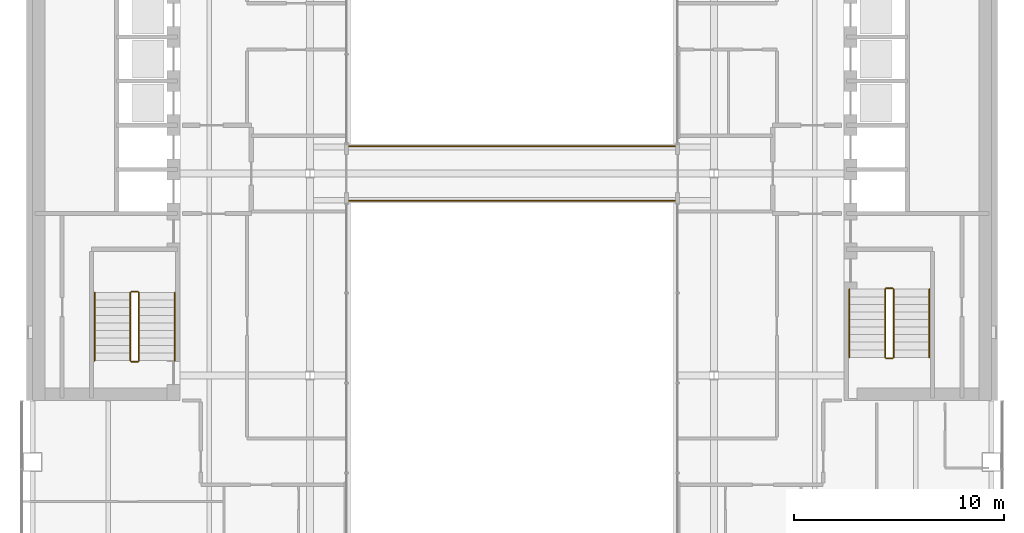
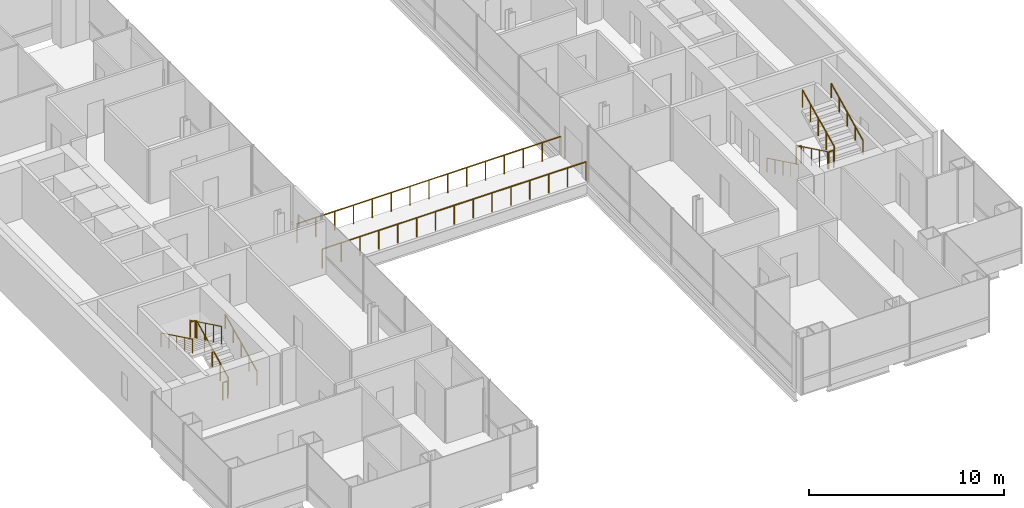
# One storey, part 15 of 16: 14 railings.
"""IFC4 building model written with IfcOpenShell, lengths in metres."""

from ifc_helpers import new_model, si_unit, direction, frame, origin, origin_2d, place, context, subcontext, project, spatial, circle, extrude, material, type_object, element, save


model = new_model("IFC4")

# Units and contexts
model_context = context("Model", 3, precision=1e-05, world=origin(), true_north=direction((0.0, 1.0)))
body_context = subcontext(model_context, "Body", "Model", "MODEL_VIEW")
ifc_project = project(units=[si_unit("LENGTHUNIT", "METRE"), si_unit("AREAUNIT", "SQUARE_METRE"), si_unit("VOLUMEUNIT", "CUBIC_METRE"), si_unit("PLANEANGLEUNIT", "RADIAN"), si_unit("MASSUNIT", "GRAM", prefix="KILO")], contexts=[model_context])

# Site, building, storey
site_placement = place(None, origin())
site = spatial("IfcSite", under=ifc_project, at=site_placement, CompositionType="ELEMENT")
building_placement = place(site_placement, origin())
building = spatial("IfcBuilding", under=site, at=building_placement, Name="Cobrizo Arcos Hotel Tower", CompositionType="ELEMENT")
storey_placement = place(building_placement, frame((0.0, 0.0, 120.5)))
storey = spatial("IfcBuildingStorey", under=building, at=storey_placement, Name="L30", CompositionType="ELEMENT", Elevation=120.5)

# Railings
ifc_material = material(Name="Stainless steel railing", Category="steel")
railing_type_1 = type_object("IfcRailingType", Name="Sky bridge guard 1200", PredefinedType="GUARDRAIL", material=ifc_material)
railing_1_placement = place(storey_placement, frame((-7.800048828125, 1.300048828125, 0.0)))
element("IfcRailing", 1, at=railing_1_placement, inside=storey, type_object=railing_type_1, Name="Sky bridge north guard", PredefinedType="GUARDRAIL", context=body_context, shape_type="SweptSolid", body=[
    extrude(circle(Radius=0.02392578125, at=origin_2d()), frame((0.0, 0.0, 1.17578125), z_axis=(1.0, 0.0, 0.0), x_axis=(0.0, 1.0, 0.0)), (0.0, 0.0, 1.0), 15.60009765625),
    extrude(circle(Radius=0.02099609375, at=origin_2d()), origin(), (0.0, 0.0, 1.0), 1.15185546875),
    extrude(circle(Radius=0.02099609375, at=origin_2d()), frame((1.1142578125, 0.0, 0.0)), (0.0, 0.0, 1.0), 1.15185546875),
    extrude(circle(Radius=0.02099609375, at=origin_2d()), frame((2.228515625, 0.0, 0.0)), (0.0, 0.0, 1.0), 1.15185546875),
    extrude(circle(Radius=0.02099609375, at=origin_2d()), frame((3.3427734375, 0.0, 0.0)), (0.0, 0.0, 1.0), 1.15185546875),
    extrude(circle(Radius=0.02099609375, at=origin_2d()), frame((4.457275390625, 0.0, 0.0)), (0.0, 0.0, 1.0), 1.15185546875),
    extrude(circle(Radius=0.02099609375, at=origin_2d()), frame((5.571533203125, 0.0, 0.0)), (0.0, 0.0, 1.0), 1.15185546875),
    extrude(circle(Radius=0.02099609375, at=origin_2d()), frame((6.685791015625, 0.0, 0.0)), (0.0, 0.0, 1.0), 1.15185546875),
    extrude(circle(Radius=0.02099609375, at=origin_2d()), frame((7.800048828125, 0.0, 0.0)), (0.0, 0.0, 1.0), 1.15185546875),
    extrude(circle(Radius=0.02099609375, at=origin_2d()), frame((8.914306640625, 0.0, 0.0)), (0.0, 0.0, 1.0), 1.15185546875),
    extrude(circle(Radius=0.02099609375, at=origin_2d()), frame((10.028564453125, 0.0, 0.0)), (0.0, 0.0, 1.0), 1.15185546875),
    extrude(circle(Radius=0.02099609375, at=origin_2d()), frame((11.142822265625, 0.0, 0.0)), (0.0, 0.0, 1.0), 1.15185546875),
    extrude(circle(Radius=0.02099609375, at=origin_2d()), frame((12.25732421875, 0.0, 0.0)), (0.0, 0.0, 1.0), 1.15185546875),
    extrude(circle(Radius=0.02099609375, at=origin_2d()), frame((13.37158203125, 0.0, 0.0)), (0.0, 0.0, 1.0), 1.15185546875),
    extrude(circle(Radius=0.02099609375, at=origin_2d()), frame((14.48583984375, 0.0, 0.0)), (0.0, 0.0, 1.0), 1.15185546875),
    extrude(circle(Radius=0.02099609375, at=origin_2d()), frame((15.60009765625, 0.0, 0.0)), (0.0, 0.0, 1.0), 1.15185546875),
])
railing_2_placement = place(storey_placement, frame((-7.800048828125, -1.300048828125, 0.0)))
element("IfcRailing", 2, at=railing_2_placement, inside=storey, type_object=railing_type_1, Name="Sky bridge south guard", PredefinedType="GUARDRAIL", context=body_context, shape_type="SweptSolid", body=[
    extrude(circle(Radius=0.02392578125, at=origin_2d()), frame((0.0, 0.0, 1.17578125), z_axis=(1.0, 0.0, 0.0), x_axis=(0.0, 1.0, 0.0)), (0.0, 0.0, 1.0), 15.60009765625),
    extrude(circle(Radius=0.02099609375, at=origin_2d()), origin(), (0.0, 0.0, 1.0), 1.15185546875),
    extrude(circle(Radius=0.02099609375, at=origin_2d()), frame((1.1142578125, 0.0, 0.0)), (0.0, 0.0, 1.0), 1.15185546875),
    extrude(circle(Radius=0.02099609375, at=origin_2d()), frame((2.228515625, 0.0, 0.0)), (0.0, 0.0, 1.0), 1.15185546875),
    extrude(circle(Radius=0.02099609375, at=origin_2d()), frame((3.3427734375, 0.0, 0.0)), (0.0, 0.0, 1.0), 1.15185546875),
    extrude(circle(Radius=0.02099609375, at=origin_2d()), frame((4.457275390625, 0.0, 0.0)), (0.0, 0.0, 1.0), 1.15185546875),
    extrude(circle(Radius=0.02099609375, at=origin_2d()), frame((5.571533203125, 0.0, 0.0)), (0.0, 0.0, 1.0), 1.15185546875),
    extrude(circle(Radius=0.02099609375, at=origin_2d()), frame((6.685791015625, 0.0, 0.0)), (0.0, 0.0, 1.0), 1.15185546875),
    extrude(circle(Radius=0.02099609375, at=origin_2d()), frame((7.800048828125, 0.0, 0.0)), (0.0, 0.0, 1.0), 1.15185546875),
    extrude(circle(Radius=0.02099609375, at=origin_2d()), frame((8.914306640625, 0.0, 0.0)), (0.0, 0.0, 1.0), 1.15185546875),
    extrude(circle(Radius=0.02099609375, at=origin_2d()), frame((10.028564453125, 0.0, 0.0)), (0.0, 0.0, 1.0), 1.15185546875),
    extrude(circle(Radius=0.02099609375, at=origin_2d()), frame((11.142822265625, 0.0, 0.0)), (0.0, 0.0, 1.0), 1.15185546875),
    extrude(circle(Radius=0.02099609375, at=origin_2d()), frame((12.25732421875, 0.0, 0.0)), (0.0, 0.0, 1.0), 1.15185546875),
    extrude(circle(Radius=0.02099609375, at=origin_2d()), frame((13.37158203125, 0.0, 0.0)), (0.0, 0.0, 1.0), 1.15185546875),
    extrude(circle(Radius=0.02099609375, at=origin_2d()), frame((14.48583984375, 0.0, 0.0)), (0.0, 0.0, 1.0), 1.15185546875),
    extrude(circle(Radius=0.02099609375, at=origin_2d()), frame((15.60009765625, 0.0, 0.0)), (0.0, 0.0, 1.0), 1.15185546875),
])
railing_type_2 = type_object("IfcRailingType", Name="Stair guard 1100", PredefinedType="GUARDRAIL", material=ifc_material)
railing_3_placement = place(storey_placement, frame((-17.75, -8.89990234375, 0.175048828125)))
element("IfcRailing", 3, at=railing_3_placement, inside=storey, type_object=railing_type_2, Name="L30 ST-W stair guard 1", PredefinedType="GUARDRAIL", context=body_context, shape_type="SweptSolid", body=[
    extrude(circle(Radius=0.02392578125, at=origin_2d()), frame((0.0, 0.0, 1.076171875), z_axis=(0.0, 0.899372665325, 0.437182809435), x_axis=(-1.0, 0.0, 0.0)), (0.0, 0.0, 1.0), 3.6025390625),
    extrude(circle(Radius=0.02099609375, at=origin_2d()), origin(), (0.0, 0.0, 1.0), 1.052001953125),
    extrude(circle(Radius=0.02099609375, at=origin_2d()), frame((0.0, 0.81005859375, 0.393798828125)), (0.0, 0.0, 1.0), 1.052001953125),
    extrude(circle(Radius=0.02099609375, at=origin_2d()), frame((0.0, 1.6201171875, 0.78759765625)), (0.0, 0.0, 1.0), 1.052001953125),
    extrude(circle(Radius=0.02099609375, at=origin_2d()), frame((0.0, 2.429931640625, 1.18115234375)), (0.0, 0.0, 1.0), 1.052001953125),
    extrude(circle(Radius=0.02099609375, at=origin_2d()), frame((0.0, 3.239990234375, 1.574951171875)), (0.0, 0.0, 1.0), 1.052001953125),
])
railing_4_placement = place(storey_placement, frame((-17.800048828125, -5.610107421875, 1.75)))
element("IfcRailing", 4, at=railing_4_placement, inside=storey, type_object=railing_type_2, Name="L30 ST-W stair guard 2", PredefinedType="GUARDRAIL", context=body_context, shape_type="SweptSolid", body=[
    extrude(circle(Radius=0.02392578125, at=origin_2d()), frame((0.0, 0.0, 1.076171875), z_axis=(-1.0, 0.0, 0.0), x_axis=(0.0, -1.0, 0.0)), (0.0, 0.0, 1.0), 0.300048828125),
    extrude(circle(Radius=0.02099609375, at=origin_2d()), origin(), (0.0, 0.0, 1.0), 1.052001953125),
    extrude(circle(Radius=0.02099609375, at=origin_2d()), frame((-0.300048828125, 0.0, 0.0)), (0.0, 0.0, 1.0), 1.052001953125),
])
railing_5_placement = place(storey_placement, frame((-18.14990234375, -5.659912109375, 1.925048828125)))
element("IfcRailing", 5, at=railing_5_placement, inside=storey, type_object=railing_type_2, Name="L30 ST-W stair guard 3", PredefinedType="GUARDRAIL", context=body_context, shape_type="SweptSolid", body=[
    extrude(circle(Radius=0.02392578125, at=origin_2d()), frame((0.0, 0.0, 1.076171875), z_axis=(0.0, -0.899372665325, 0.437182809435), x_axis=(1.0, 0.0, 0.0)), (0.0, 0.0, 1.0), 3.6025390625),
    extrude(circle(Radius=0.02099609375, at=origin_2d()), origin(), (0.0, 0.0, 1.0), 1.052001953125),
    extrude(circle(Radius=0.02099609375, at=origin_2d()), frame((0.0, -0.81005859375, 0.393798828125)), (0.0, 0.0, 1.0), 1.052001953125),
    extrude(circle(Radius=0.02099609375, at=origin_2d()), frame((0.0, -1.6201171875, 0.78759765625)), (0.0, 0.0, 1.0), 1.052001953125),
    extrude(circle(Radius=0.02099609375, at=origin_2d()), frame((0.0, -2.429931640625, 1.18115234375)), (0.0, 0.0, 1.0), 1.052001953125),
    extrude(circle(Radius=0.02099609375, at=origin_2d()), frame((0.0, -3.239990234375, 1.574951171875)), (0.0, 0.0, 1.0), 1.052001953125),
])
railing_6_placement = place(storey_placement, frame((-17.800048828125, -8.949951171875, 0.0)))
element("IfcRailing", 6, at=railing_6_placement, inside=storey, type_object=railing_type_2, Name="L30 ST-W stair guard 4", PredefinedType="GUARDRAIL", context=body_context, shape_type="SweptSolid", body=[
    extrude(circle(Radius=0.02392578125, at=origin_2d()), frame((0.0, 0.0, 1.076171875), z_axis=(-1.0, 0.0, 0.0), x_axis=(0.0, -1.0, 0.0)), (0.0, 0.0, 1.0), 0.300048828125),
    extrude(circle(Radius=0.02099609375, at=origin_2d()), origin(), (0.0, 0.0, 1.0), 1.052001953125),
    extrude(circle(Radius=0.02099609375, at=origin_2d()), frame((-0.300048828125, 0.0, 0.0)), (0.0, 0.0, 1.0), 1.052001953125),
])
railing_7_placement = place(storey_placement, frame((17.75, -5.5, 0.175048828125)))
element("IfcRailing", 7, at=railing_7_placement, inside=storey, type_object=railing_type_2, Name="L30 ST-E stair guard 1", PredefinedType="GUARDRAIL", context=body_context, shape_type="SweptSolid", body=[
    extrude(circle(Radius=0.02392578125, at=origin_2d()), frame((0.0, 0.0, 1.076171875), z_axis=(0.0, -0.899372665325, 0.437182809435), x_axis=(1.0, 0.0, 0.0)), (0.0, 0.0, 1.0), 3.6025390625),
    extrude(circle(Radius=0.02099609375, at=origin_2d()), origin(), (0.0, 0.0, 1.0), 1.052001953125),
    extrude(circle(Radius=0.02099609375, at=origin_2d()), frame((0.0, -0.81005859375, 0.393798828125)), (0.0, 0.0, 1.0), 1.052001953125),
    extrude(circle(Radius=0.02099609375, at=origin_2d()), frame((0.0, -1.6201171875, 0.78759765625)), (0.0, 0.0, 1.0), 1.052001953125),
    extrude(circle(Radius=0.02099609375, at=origin_2d()), frame((0.0, -2.429931640625, 1.18115234375)), (0.0, 0.0, 1.0), 1.052001953125),
    extrude(circle(Radius=0.02099609375, at=origin_2d()), frame((0.0, -3.239990234375, 1.574951171875)), (0.0, 0.0, 1.0), 1.052001953125),
])
railing_8_placement = place(storey_placement, frame((17.800048828125, -8.7900390625, 1.75)))
element("IfcRailing", 8, at=railing_8_placement, inside=storey, type_object=railing_type_2, Name="L30 ST-E stair guard 2", PredefinedType="GUARDRAIL", context=body_context, shape_type="SweptSolid", body=[
    extrude(circle(Radius=0.02392578125, at=origin_2d()), frame((0.0, 0.0, 1.076171875), z_axis=(1.0, 0.0, 0.0), x_axis=(0.0, 1.0, 0.0)), (0.0, 0.0, 1.0), 0.300048828125),
    extrude(circle(Radius=0.02099609375, at=origin_2d()), origin(), (0.0, 0.0, 1.0), 1.052001953125),
    extrude(circle(Radius=0.02099609375, at=origin_2d()), frame((0.300048828125, 0.0, 0.0)), (0.0, 0.0, 1.0), 1.052001953125),
])
railing_9_placement = place(storey_placement, frame((18.14990234375, -8.739990234375, 1.925048828125)))
element("IfcRailing", 9, at=railing_9_placement, inside=storey, type_object=railing_type_2, Name="L30 ST-E stair guard 3", PredefinedType="GUARDRAIL", context=body_context, shape_type="SweptSolid", body=[
    extrude(circle(Radius=0.02392578125, at=origin_2d()), frame((0.0, 0.0, 1.076171875), z_axis=(0.0, 0.899372665325, 0.437182809435), x_axis=(-1.0, 0.0, 0.0)), (0.0, 0.0, 1.0), 3.6025390625),
    extrude(circle(Radius=0.02099609375, at=origin_2d()), origin(), (0.0, 0.0, 1.0), 1.052001953125),
    extrude(circle(Radius=0.02099609375, at=origin_2d()), frame((0.0, 0.81005859375, 0.393798828125)), (0.0, 0.0, 1.0), 1.052001953125),
    extrude(circle(Radius=0.02099609375, at=origin_2d()), frame((0.0, 1.6201171875, 0.78759765625)), (0.0, 0.0, 1.0), 1.052001953125),
    extrude(circle(Radius=0.02099609375, at=origin_2d()), frame((0.0, 2.429931640625, 1.18115234375)), (0.0, 0.0, 1.0), 1.052001953125),
    extrude(circle(Radius=0.02099609375, at=origin_2d()), frame((0.0, 3.239990234375, 1.574951171875)), (0.0, 0.0, 1.0), 1.052001953125),
])
railing_10_placement = place(storey_placement, frame((17.800048828125, -5.449951171875, 0.0)))
element("IfcRailing", 10, at=railing_10_placement, inside=storey, type_object=railing_type_2, Name="L30 ST-E stair guard 4", PredefinedType="GUARDRAIL", context=body_context, shape_type="SweptSolid", body=[
    extrude(circle(Radius=0.02392578125, at=origin_2d()), frame((0.0, 0.0, 1.076171875), z_axis=(1.0, 0.0, 0.0), x_axis=(0.0, 1.0, 0.0)), (0.0, 0.0, 1.0), 0.300048828125),
    extrude(circle(Radius=0.02099609375, at=origin_2d()), origin(), (0.0, 0.0, 1.0), 1.052001953125),
    extrude(circle(Radius=0.02099609375, at=origin_2d()), frame((0.300048828125, 0.0, 0.0)), (0.0, 0.0, 1.0), 1.052001953125),
])
railing_type_3 = type_object("IfcRailingType", Name="Stair handrail", PredefinedType="HANDRAIL", material=ifc_material)
railing_11_placement = place(storey_placement, frame((-16.050048828125, -8.89990234375, 0.175048828125)))
element("IfcRailing", 11, at=railing_11_placement, inside=storey, type_object=railing_type_3, Name="L30 ST-W stair handrail 1", PredefinedType="HANDRAIL", context=body_context, shape_type="SweptSolid", body=[
    extrude(circle(Radius=0.02392578125, at=origin_2d()), frame((0.0, 0.0, 0.8759765625), z_axis=(0.0, 0.899372665325, 0.437182809435), x_axis=(-1.0, 0.0, 0.0)), (0.0, 0.0, 1.0), 3.6025390625),
    extrude(circle(Radius=0.02099609375, at=origin_2d()), origin(), (0.0, 0.0, 1.0), 0.851806640625),
    extrude(circle(Radius=0.02099609375, at=origin_2d()), frame((0.0, 0.81005859375, 0.393798828125)), (0.0, 0.0, 1.0), 0.851806640625),
    extrude(circle(Radius=0.02099609375, at=origin_2d()), frame((0.0, 1.6201171875, 0.78759765625)), (0.0, 0.0, 1.0), 0.851806640625),
    extrude(circle(Radius=0.02099609375, at=origin_2d()), frame((0.0, 2.429931640625, 1.18115234375)), (0.0, 0.0, 1.0), 0.851806640625),
    extrude(circle(Radius=0.02099609375, at=origin_2d()), frame((0.0, 3.239990234375, 1.574951171875)), (0.0, 0.0, 1.0), 0.851806640625),
])
for number, where, name in (
    (12, (-19.85009765625, -5.659912109375, 1.925048828125), "L30 ST-W stair handrail 2"),
    (13, (16.050048828125, -5.5, 0.175048828125), "L30 ST-E stair handrail 1"),
):
    element("IfcRailing", number, at=place(storey_placement, frame(where)), inside=storey, type_object=railing_type_3, Name=name, PredefinedType="HANDRAIL", context=body_context, shape_type="SweptSolid", body=[
        extrude(circle(Radius=0.02392578125, at=origin_2d()), frame((0.0, 0.0, 0.8759765625), z_axis=(0.0, -0.899372665325, 0.437182809435), x_axis=(1.0, 0.0, 0.0)), (0.0, 0.0, 1.0), 3.6025390625),
        extrude(circle(Radius=0.02099609375, at=origin_2d()), origin(), (0.0, 0.0, 1.0), 0.851806640625),
        extrude(circle(Radius=0.02099609375, at=origin_2d()), frame((0.0, -0.81005859375, 0.393798828125)), (0.0, 0.0, 1.0), 0.851806640625),
        extrude(circle(Radius=0.02099609375, at=origin_2d()), frame((0.0, -1.6201171875, 0.78759765625)), (0.0, 0.0, 1.0), 0.851806640625),
        extrude(circle(Radius=0.02099609375, at=origin_2d()), frame((0.0, -2.429931640625, 1.18115234375)), (0.0, 0.0, 1.0), 0.851806640625),
        extrude(circle(Radius=0.02099609375, at=origin_2d()), frame((0.0, -3.239990234375, 1.574951171875)), (0.0, 0.0, 1.0), 0.851806640625),
    ])
railing_12_placement = place(storey_placement, frame((19.85009765625, -8.739990234375, 1.925048828125)))
element("IfcRailing", 14, at=railing_12_placement, inside=storey, type_object=railing_type_3, Name="L30 ST-E stair handrail 2", PredefinedType="HANDRAIL", context=body_context, shape_type="SweptSolid", body=[
    extrude(circle(Radius=0.02392578125, at=origin_2d()), frame((0.0, 0.0, 0.8759765625), z_axis=(0.0, 0.899372665325, 0.437182809435), x_axis=(-1.0, 0.0, 0.0)), (0.0, 0.0, 1.0), 3.6025390625),
    extrude(circle(Radius=0.02099609375, at=origin_2d()), origin(), (0.0, 0.0, 1.0), 0.851806640625),
    extrude(circle(Radius=0.02099609375, at=origin_2d()), frame((0.0, 0.81005859375, 0.393798828125)), (0.0, 0.0, 1.0), 0.851806640625),
    extrude(circle(Radius=0.02099609375, at=origin_2d()), frame((0.0, 1.6201171875, 0.78759765625)), (0.0, 0.0, 1.0), 0.851806640625),
    extrude(circle(Radius=0.02099609375, at=origin_2d()), frame((0.0, 2.429931640625, 1.18115234375)), (0.0, 0.0, 1.0), 0.851806640625),
    extrude(circle(Radius=0.02099609375, at=origin_2d()), frame((0.0, 3.239990234375, 1.574951171875)), (0.0, 0.0, 1.0), 0.851806640625),
])

save(model, "model.ifc")
